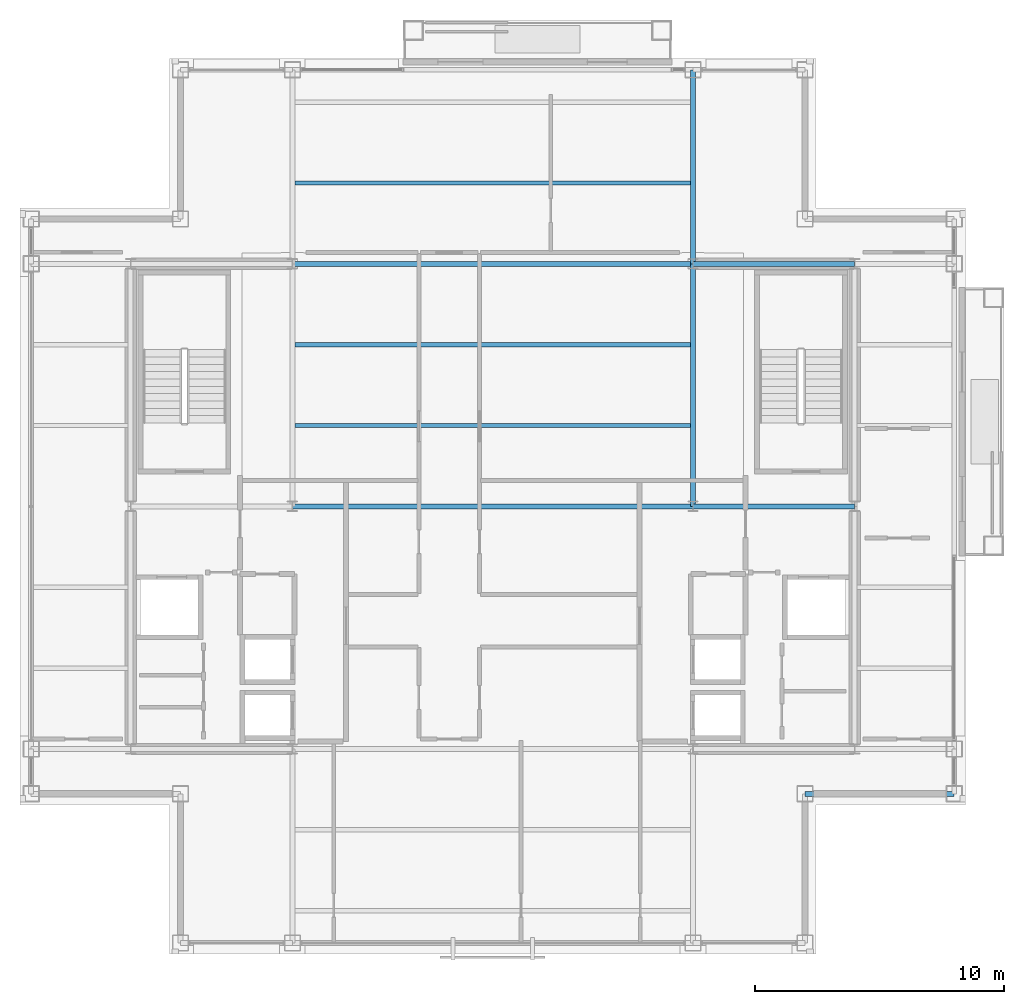
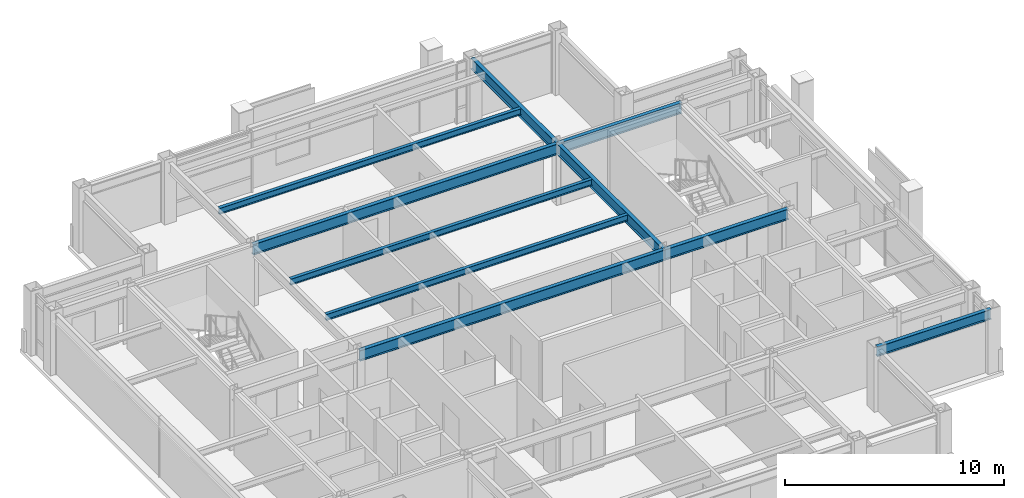
# One storey, part 10 of 24: 10 beams.
"""IFC4 building model written with IfcOpenShell, lengths in metres."""

from ifc_helpers import new_model, si_unit, direction, frame, origin, origin_2d, place, context, subcontext, project, spatial, i_section, extrude, material, material_profile, profile_set, type_object, element, save


model = new_model("IFC4")

# Units and contexts
model_context = context("Model", 3, precision=1e-05, world=origin(), true_north=direction((0.0, 1.0)))
body_context = subcontext(model_context, "Body", "Model", "MODEL_VIEW")
ifc_project = project(units=[si_unit("LENGTHUNIT", "METRE"), si_unit("AREAUNIT", "SQUARE_METRE"), si_unit("VOLUMEUNIT", "CUBIC_METRE"), si_unit("PLANEANGLEUNIT", "RADIAN"), si_unit("MASSUNIT", "GRAM", prefix="KILO")], contexts=[model_context])

# Site, building, storey
site_placement = place(None, origin())
site = spatial("IfcSite", under=ifc_project, at=site_placement, CompositionType="ELEMENT")
building_placement = place(site_placement, origin())
building = spatial("IfcBuilding", under=site, at=building_placement, Name="Brelmoor Portico Tower", CompositionType="ELEMENT")
storey_placement = place(building_placement, frame((0.0, 0.0, 232.800048828125)))
storey = spatial("IfcBuildingStorey", under=building, at=storey_placement, Name="L61", CompositionType="ELEMENT", Elevation=232.800048828125)

# Beams
ifc_material = material(Name="Steel Q355B", Category="steel")
ifc_material_profile_1 = material_profile(ifc_material, i_section(OverallWidth=0.175048828125, OverallDepth=0.35009765625, WebThickness=0.007080078125, FlangeThickness=0.010986328125, at=origin_2d()), Name="HN 350x175x7x11")
ifc_profile_set_1 = profile_set([ifc_material_profile_1], Name="Steel Q355B")
beam_type_1 = type_object("IfcBeamType", Name="BM-JS-350", PredefinedType="JOIST", material=ifc_profile_set_1)
for number, where, z_axis, x_axis, name in (
    (1, (-7.949951171875, 3.25, 3.224853515625), (1.0, 0.0, 0.0), (0.0, 1.0, 0.0), "L61 Secondary Composite Joist JS-C03"),
    (2, (-7.949951171875, 6.5, 3.224853515625), (1.0, 0.0, 0.0), (0.0, 1.0, 0.0), "L61 Secondary Composite Joist JS-C04"),
    (3, (-7.949951171875, 13.0, 3.224853515625), (1.0, 0.0, 0.0), (0.0, 1.0, 0.0), "L61 Secondary Composite Joist JS-C05"),
):
    element("IfcBeam", number, at=place(storey_placement, frame(where, z_axis=z_axis, x_axis=x_axis)), inside=storey, type_object=beam_type_1, Name=name, PredefinedType="JOIST", context=body_context, shape_type="SweptSolid", body=[
        extrude(i_section(OverallWidth=0.175048828125, OverallDepth=0.35009765625, WebThickness=0.007080078125, FlangeThickness=0.010986328125, at=origin_2d()), origin(), (0.0, 0.0, 1.0), 15.89990234375),
    ])
ifc_material_profile_2 = material_profile(ifc_material, i_section(OverallWidth=0.199951171875, OverallDepth=0.60009765625, WebThickness=0.010986328125, FlangeThickness=0.01708984375, at=origin_2d()), Name="HN 600x200x11x17")
ifc_profile_set_2 = profile_set([ifc_material_profile_2], Name="Steel Q355B")
beam_type_2 = type_object("IfcBeamType", Name="BM-PG-600", PredefinedType="BEAM", material=ifc_profile_set_2)
beam_1_placement = place(storey_placement, frame((8.050048828125, 0.0, 3.099853515625), z_axis=(0.0, 1.0, 0.0), x_axis=(-1.0, 0.0, 0.0)))
element("IfcBeam", 4, at=beam_1_placement, inside=storey, type_object=beam_type_2, Name="L61 Primary Floor Girder PG-07", PredefinedType="BEAM", context=body_context, shape_type="SweptSolid", body=[
    extrude(i_section(OverallWidth=0.199951171875, OverallDepth=0.60009765625, WebThickness=0.010986328125, FlangeThickness=0.01708984375, at=origin_2d()), origin(), (0.0, 0.0, 1.0), 9.75),
])
beam_2_placement = place(storey_placement, frame((8.050048828125, 9.75, 3.099853515625), z_axis=(0.0, 1.0, 0.0), x_axis=(-1.0, 0.0, 0.0)))
element("IfcBeam", 5, at=beam_2_placement, inside=storey, type_object=beam_type_2, Name="L61 Primary Floor Girder PG-08", PredefinedType="BEAM", context=body_context, shape_type="SweptSolid", body=[
    extrude(i_section(OverallWidth=0.199951171875, OverallDepth=0.60009765625, WebThickness=0.010986328125, FlangeThickness=0.01708984375, at=origin_2d()), origin(), (0.0, 0.0, 1.0), 7.800048828125),
])
beam_3_placement = place(storey_placement, frame((-8.050048828125, 0.0, 3.099853515625), z_axis=(1.0, 0.0, 0.0), x_axis=(0.0, 1.0, 0.0)))
element("IfcBeam", 6, at=beam_3_placement, inside=storey, type_object=beam_type_2, Name="L61 Primary Floor Girder PG-17", PredefinedType="BEAM", context=body_context, shape_type="SweptSolid", body=[
    extrude(i_section(OverallWidth=0.199951171875, OverallDepth=0.60009765625, WebThickness=0.010986328125, FlangeThickness=0.01708984375, at=origin_2d()), origin(), (0.0, 0.0, 1.0), 16.10009765625),
])
beam_4_placement = place(storey_placement, frame((8.050048828125, 0.0, 3.099853515625), z_axis=(1.0, 0.0, 0.0), x_axis=(0.0, 1.0, 0.0)))
element("IfcBeam", 7, at=beam_4_placement, inside=storey, type_object=beam_type_2, Name="L61 Primary Floor Girder PG-18", PredefinedType="BEAM", context=body_context, shape_type="SweptSolid", body=[
    extrude(i_section(OverallWidth=0.199951171875, OverallDepth=0.60009765625, WebThickness=0.010986328125, FlangeThickness=0.01708984375, at=origin_2d()), origin(), (0.0, 0.0, 1.0), 6.5),
])
beam_5_placement = place(storey_placement, frame((-8.050048828125, 9.75, 3.099853515625), z_axis=(1.0, 0.0, 0.0), x_axis=(0.0, 1.0, 0.0)))
element("IfcBeam", 8, at=beam_5_placement, inside=storey, type_object=beam_type_2, Name="L61 Primary Floor Girder PG-21", PredefinedType="BEAM", context=body_context, shape_type="SweptSolid", body=[
    extrude(i_section(OverallWidth=0.199951171875, OverallDepth=0.60009765625, WebThickness=0.010986328125, FlangeThickness=0.01708984375, at=origin_2d()), origin(), (0.0, 0.0, 1.0), 16.10009765625),
])
beam_6_placement = place(storey_placement, frame((8.050048828125, 9.75, 3.099853515625), z_axis=(1.0, 0.0, 0.0), x_axis=(0.0, 1.0, 0.0)))
element("IfcBeam", 9, at=beam_6_placement, inside=storey, type_object=beam_type_2, Name="L61 Primary Floor Girder PG-22", PredefinedType="BEAM", context=body_context, shape_type="SweptSolid", body=[
    extrude(i_section(OverallWidth=0.199951171875, OverallDepth=0.60009765625, WebThickness=0.010986328125, FlangeThickness=0.01708984375, at=origin_2d()), origin(), (0.0, 0.0, 1.0), 6.5),
])
ifc_material_profile_3 = material_profile(ifc_material, i_section(OverallWidth=0.199951171875, OverallDepth=0.550048828125, WebThickness=0.010009765625, FlangeThickness=0.01611328125, at=origin_2d()), Name="HN 550x200x10x16")
ifc_profile_set_3 = profile_set([ifc_material_profile_3], Name="Steel Q355B")
beam_type_3 = type_object("IfcBeamType", Name="BM-SP-550", PredefinedType="SPANDREL", material=ifc_profile_set_3)
beam_7_placement = place(storey_placement, frame((12.550048828125, -11.550048828125, 3.125), z_axis=(1.0, 0.0, 0.0), x_axis=(0.0, 1.0, 0.0)))
element("IfcBeam", 10, at=beam_7_placement, inside=storey, type_object=beam_type_3, Name="L61 Perimeter Spandrel Beam SP-05", PredefinedType="SPANDREL", context=body_context, shape_type="SweptSolid", body=[
    extrude(i_section(OverallWidth=0.199951171875, OverallDepth=0.550048828125, WebThickness=0.010009765625, FlangeThickness=0.01611328125, at=origin_2d()), origin(), (0.0, 0.0, 1.0), 6.0),
])

save(model, "model.ifc")
